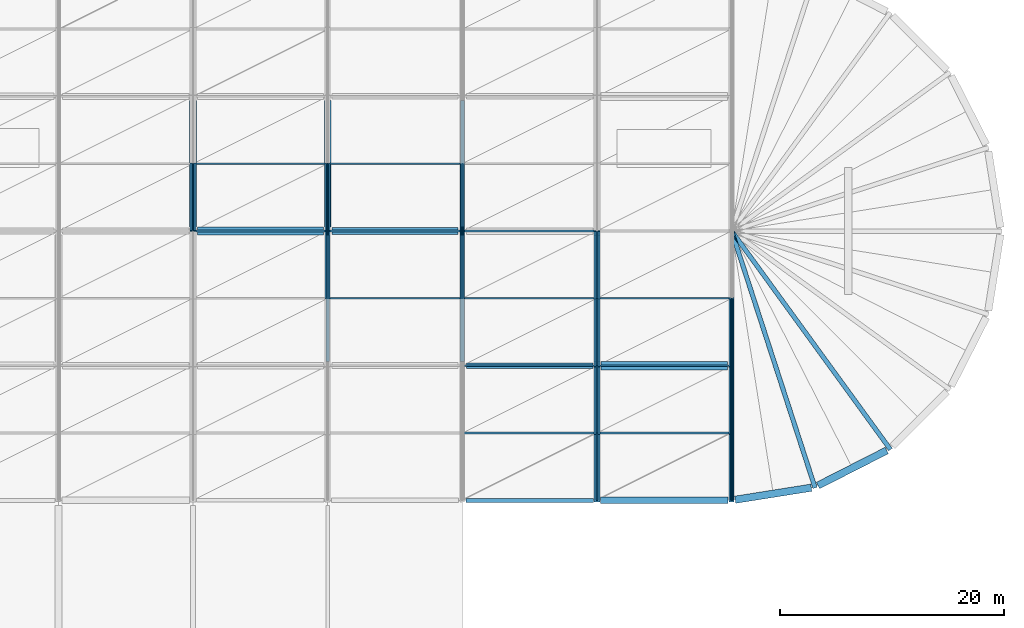
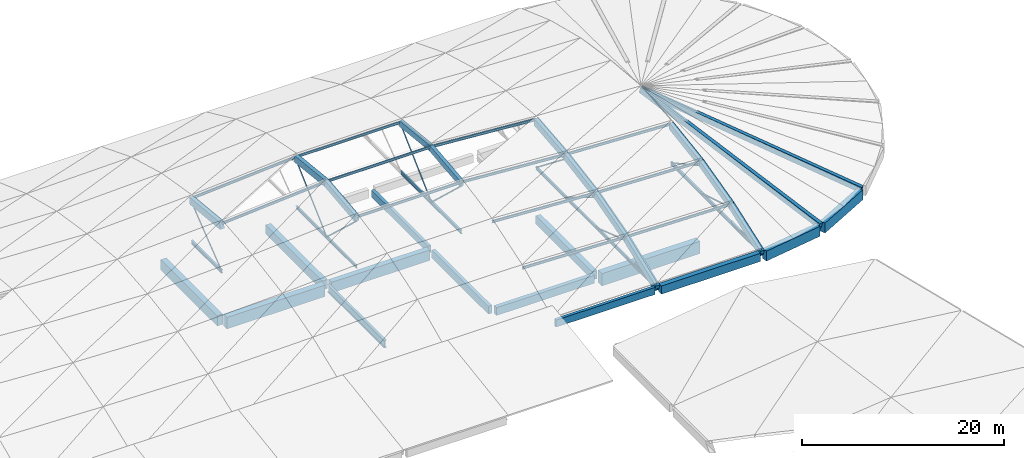
# One storey, part 14 of 23: 40 beams, 24 members.
"""IFC4 building model written with IfcOpenShell, lengths in metres."""

from ifc_helpers import new_model, si_unit, direction, frame, origin, origin_2d, place, context, subcontext, project, spatial, rectangle, hollow_circle, i_section, extrude, material, material_profile, profile_set, type_object, element, save


model = new_model("IFC4")

# Units and contexts
model_context = context("Model", 3, precision=1e-05, world=origin(), true_north=direction((0.0, 1.0)))
body_context = subcontext(model_context, "Body", "Model", "MODEL_VIEW")
ifc_project = project(units=[si_unit("LENGTHUNIT", "METRE"), si_unit("AREAUNIT", "SQUARE_METRE"), si_unit("VOLUMEUNIT", "CUBIC_METRE"), si_unit("PLANEANGLEUNIT", "RADIAN"), si_unit("MASSUNIT", "GRAM", prefix="KILO")], contexts=[model_context])

# Site, building, storey
site_placement = place(None, origin())
site = spatial("IfcSite", under=ifc_project, at=site_placement, CompositionType="ELEMENT")
building_placement = place(site_placement, origin())
building = spatial("IfcBuilding", under=site, at=building_placement, Name="Kamomehara Wholesale Market", CompositionType="ELEMENT")
storey_placement = place(building_placement, frame((0.0, 0.0, 21.0)))
storey = spatial("IfcBuildingStorey", under=building, at=storey_placement, Name="RF", CompositionType="ELEMENT", Elevation=21.0)

# Beams
ifc_material_1 = material(Name="Precast concrete Fc45 (C40/50)", Category="concrete")
ifc_material_profile_1 = material_profile(ifc_material_1, rectangle(XDim=0.60009765625, YDim=1.10009765625, at=origin_2d()), Name="PC-GRD-600x1100")
ifc_profile_set_1 = profile_set([ifc_material_profile_1], Name="Precast concrete Fc45 (C40/50)")
beam_type_1 = type_object("IfcBeamType", Name="BM-PG1100", PredefinedType="T_BEAM", material=ifc_profile_set_1)
beam_1_placement = place(storey_placement, frame((144.0, 132.375, -15.281982421875), z_axis=(0.0, 1.0, 0.0), x_axis=(-1.0, 0.0, 0.0)))
element("IfcBeam", 1, at=beam_1_placement, inside=storey, type_object=beam_type_1, Name="Beam PG-07 RF", PredefinedType="T_BEAM", context=body_context, shape_type="SweptSolid", body=[
    extrude(rectangle(XDim=0.60009765625, YDim=1.10009765625, at=origin_2d()), origin(), (0.0, 0.0, 1.0), 11.25),
])
ifc_material_2 = material(Name="Precast concrete Fc45 (C40/50)", Category="concrete")
ifc_material_profile_2 = material_profile(ifc_material_2, rectangle(XDim=0.64990234375, YDim=1.25, at=origin_2d()), Name="PC-GRD-650x1250")
ifc_profile_set_2 = profile_set([ifc_material_profile_2], Name="Precast concrete Fc45 (C40/50)")
beam_type_2 = type_object("IfcBeamType", Name="BM-PG1250", PredefinedType="T_BEAM", material=ifc_profile_set_2)
beam_2_placement = place(storey_placement, frame((132.0, 132.375, -15.35693359375), z_axis=(0.0, 1.0, 0.0), x_axis=(-1.0, 0.0, 0.0)))
element("IfcBeam", 2, at=beam_2_placement, inside=storey, type_object=beam_type_2, Name="Beam PG-04 RF", PredefinedType="T_BEAM", context=body_context, shape_type="SweptSolid", body=[
    extrude(rectangle(XDim=0.64990234375, YDim=1.25, at=origin_2d()), origin(), (0.0, 0.0, 1.0), 11.25),
])
ifc_material_3 = material(Name="Precast concrete Fc45 (C40/50)", Category="concrete")
ifc_material_profile_3 = material_profile(ifc_material_3, rectangle(XDim=0.6201171875, YDim=1.280029296875, at=origin_2d()), Name="PC-GRD-620x1280")
ifc_profile_set_3 = profile_set([ifc_material_profile_3], Name="Precast concrete Fc45 (C40/50)")
beam_type_3 = type_object("IfcBeamType", Name="BM-PG1280", PredefinedType="T_BEAM", material=ifc_profile_set_3)
beam_3_placement = place(storey_placement, frame((144.375, 132.0, -15.35205078125), z_axis=(1.0, 0.0, 0.0), x_axis=(0.0, 1.0, 0.0)))
element("IfcBeam", 3, at=beam_3_placement, inside=storey, type_object=beam_type_3, Name="Beam PG-13 RF", PredefinedType="T_BEAM", context=body_context, shape_type="SweptSolid", body=[
    extrude(rectangle(XDim=0.6201171875, YDim=1.280029296875, at=origin_2d()), origin(), (0.0, 0.0, 1.0), 11.25),
])
ifc_material_4 = material(Name="Precast concrete Fc45 (C40/50)", Category="concrete")
ifc_material_profile_4 = material_profile(ifc_material_4, rectangle(XDim=0.699951171875, YDim=1.39990234375, at=origin_2d()), Name="PC-GRD-700x1400")
ifc_profile_set_4 = profile_set([ifc_material_profile_4], Name="Precast concrete Fc45 (C40/50)")
beam_type_4 = type_object("IfcBeamType", Name="BM-PG1400", PredefinedType="T_BEAM", material=ifc_profile_set_4)
beam_4_placement = place(storey_placement, frame((132.375, 132.0, -15.431884765625), z_axis=(1.0, 0.0, 0.0), x_axis=(0.0, 1.0, 0.0)))
element("IfcBeam", 4, at=beam_4_placement, inside=storey, type_object=beam_type_4, Name="Beam PG-02 RF", PredefinedType="T_BEAM", context=body_context, shape_type="SweptSolid", body=[
    extrude(rectangle(XDim=0.699951171875, YDim=1.39990234375, at=origin_2d()), origin(), (0.0, 0.0, 1.0), 11.25),
])
ifc_material_5 = material(Name="Precast concrete Fc45 (C40/50)", Category="concrete")
ifc_material_profile_5 = material_profile(ifc_material_5, rectangle(XDim=0.75, YDim=1.5, at=origin_2d()), Name="PC-GRD-750x1500")
ifc_profile_set_5 = profile_set([ifc_material_profile_5], Name="Precast concrete Fc45 (C40/50)")
beam_type_5 = type_object("IfcBeamType", Name="BM-PG1500", PredefinedType="T_BEAM", material=ifc_profile_set_5)
beam_5_placement = place(storey_placement, frame((168.375, 120.0, -15.491943359375), z_axis=(1.0, 0.0, 0.0), x_axis=(0.0, 1.0, 0.0)))
element("IfcBeam", 5, at=beam_5_placement, inside=storey, type_object=beam_type_5, Name="Beam PG-01 RF", PredefinedType="T_BEAM", context=body_context, shape_type="SweptSolid", body=[
    extrude(rectangle(XDim=0.75, YDim=1.5, at=origin_2d()), origin(), (0.0, 0.0, 1.0), 11.25),
])
ifc_material_6 = material(Name="Precast concrete Fc45 (C40/50)", Category="concrete")
ifc_material_profile_6 = material_profile(ifc_material_6, rectangle(XDim=0.47998046875, YDim=0.949951171875, at=origin_2d()), Name="PC-GRD-480x950")
ifc_profile_set_6 = profile_set([ifc_material_profile_6], Name="Precast concrete Fc45 (C40/50)")
beam_type_6 = type_object("IfcBeamType", Name="BM-PG950", PredefinedType="T_BEAM", material=ifc_profile_set_6)
beam_6_placement = place(storey_placement, frame((156.375, 120.0, -15.22705078125), z_axis=(1.0, 0.0, 0.0), x_axis=(0.0, 1.0, 0.0)))
element("IfcBeam", 6, at=beam_6_placement, inside=storey, type_object=beam_type_6, Name="Beam PG-16 RF", PredefinedType="T_BEAM", context=body_context, shape_type="SweptSolid", body=[
    extrude(rectangle(XDim=0.47998046875, YDim=0.949951171875, at=origin_2d()), origin(), (0.0, 0.0, 1.0), 11.25),
])
ifc_material_7 = material(Name="Concrete Fc36 (C35/45)", Category="concrete")
ifc_material_profile_7 = material_profile(ifc_material_7, rectangle(XDim=0.39990234375, YDim=0.699951171875, at=origin_2d()), Name="RC-RIB-400x700")
ifc_profile_set_7 = profile_set([ifc_material_profile_7], Name="Concrete Fc36 (C35/45)")
beam_type_7 = type_object("IfcBeamType", Name="BM-RIB700", PredefinedType="BEAM", material=ifc_profile_set_7)
for number, where, z_axis, x_axis, name in (
    (7, (156.0, 126.0, -3.31689453125), (0.0, 0.994292611875, 0.106687403056), (-1.0, 0.0, 0.0), "Shell arch rib V1 68"),
    (8, (156.0, 132.0, -2.673095703125), (0.0, 0.994292611875, -0.106687403056), (-1.0, 0.0, 0.0), "Shell arch rib V1 69"),
):
    element("IfcBeam", number, at=place(storey_placement, frame(where, z_axis=z_axis, x_axis=x_axis)), inside=storey, type_object=beam_type_7, Name=name, PredefinedType="BEAM", context=body_context, shape_type="SweptSolid", body=[
        extrude(rectangle(XDim=0.39990234375, YDim=0.699951171875, at=origin_2d()), origin(), (0.0, 0.0, 1.0), 6.034423828125),
    ])
beam_7_placement = place(storey_placement, frame((187.416015625, 109.175048828125, -9.25), z_axis=(-0.301736860826, 0.928683199088, 0.215644110866), x_axis=(-0.951059707206, -0.30900717359, 0.0)))
element("IfcBeam", 9, at=beam_7_placement, inside=storey, type_object=beam_type_7, Name="Apse radial shell rib 2", PredefinedType="BEAM", context=body_context, shape_type="SweptSolid", body=[
    extrude(rectangle(XDim=0.39990234375, YDim=0.699951171875, at=origin_2d()), origin(), (0.0, 0.0, 1.0), 24.57763671875),
])
beam_8_placement = place(storey_placement, frame((194.10693359375, 112.583984375, -9.25), z_axis=(-0.573966043882, 0.789975624552, 0.215642048504), x_axis=(-0.809009613282, -0.587795411361, 0.0)))
element("IfcBeam", 10, at=beam_8_placement, inside=storey, type_object=beam_type_7, Name="Apse radial shell rib 4", PredefinedType="BEAM", context=body_context, shape_type="SweptSolid", body=[
    extrude(rectangle(XDim=0.39990234375, YDim=0.699951171875, at=origin_2d()), origin(), (0.0, 0.0, 1.0), 24.577880859375),
])
ifc_material_8 = material(Name="Concrete Fc36 (C35/45)", Category="concrete")
ifc_material_profile_8 = material_profile(ifc_material_8, rectangle(XDim=0.449951171875, YDim=0.800048828125, at=origin_2d()), Name="RC-RIB-450x800")
ifc_profile_set_8 = profile_set([ifc_material_profile_8], Name="Concrete Fc36 (C35/45)")
beam_type_8 = type_object("IfcBeamType", Name="BM-RIB800", PredefinedType="BEAM", material=ifc_profile_set_8)
for number, where, z_axis, x_axis, name in (
    (11, (144.0, 126.0, -3.366943359375), (0.0, 0.994288319379, 0.106727400168), (-1.0, 0.0, 0.0), "Shell arch rib V1 60"),
    (12, (144.0, 132.0, -2.722900390625), (0.0, 0.994288319379, -0.106727400168), (-1.0, 0.0, 0.0), "Shell arch rib V1 61"),
):
    element("IfcBeam", number, at=place(storey_placement, frame(where, z_axis=z_axis, x_axis=x_axis)), inside=storey, type_object=beam_type_8, Name=name, PredefinedType="BEAM", context=body_context, shape_type="SweptSolid", body=[
        extrude(rectangle(XDim=0.449951171875, YDim=0.800048828125, at=origin_2d()), origin(), (0.0, 0.0, 1.0), 6.034423828125),
    ])
beam_9_placement = place(storey_placement, frame((180.0, 108.0, -9.27001953125), z_axis=(0.0, 0.942772001715, 0.333438079383), x_axis=(-1.0, 0.0, 0.0)))
element("IfcBeam", 13, at=beam_9_placement, inside=storey, type_object=beam_type_8, Name="Shell arch rib V1 81", PredefinedType="BEAM", context=body_context, shape_type="SweptSolid", body=[
    extrude(rectangle(XDim=0.449951171875, YDim=0.800048828125, at=origin_2d()), origin(), (0.0, 0.0, 1.0), 6.3642578125),
])
beam_10_placement = place(storey_placement, frame((180.0, 114.0, -7.14794921875), z_axis=(0.0, 0.969573603091, 0.244799975878), x_axis=(-1.0, 0.0, 0.0)))
element("IfcBeam", 14, at=beam_10_placement, inside=storey, type_object=beam_type_8, Name="Shell arch rib V1 82", PredefinedType="BEAM", context=body_context, shape_type="SweptSolid", body=[
    extrude(rectangle(XDim=0.449951171875, YDim=0.800048828125, at=origin_2d()), origin(), (0.0, 0.0, 1.0), 6.188232421875),
])
beam_11_placement = place(storey_placement, frame((180.0, 120.0, -5.633056640625), z_axis=(0.0, 0.988689487974, 0.149976986132), x_axis=(-1.0, 0.0, 0.0)))
element("IfcBeam", 15, at=beam_11_placement, inside=storey, type_object=beam_type_8, Name="Shell arch rib V1 83", PredefinedType="BEAM", context=body_context, shape_type="SweptSolid", body=[
    extrude(rectangle(XDim=0.449951171875, YDim=0.800048828125, at=origin_2d()), origin(), (0.0, 0.0, 1.0), 6.068603515625),
])
ifc_material_9 = material(Name="Concrete Fc36 (C35/45)", Category="concrete")
ifc_material_profile_9 = material_profile(ifc_material_9, rectangle(XDim=0.5, YDim=0.85009765625, at=origin_2d()), Name="RC-RIB-500x850")
ifc_profile_set_9 = profile_set([ifc_material_profile_9], Name="Concrete Fc36 (C35/45)")
beam_type_9 = type_object("IfcBeamType", Name="BM-RIB850", PredefinedType="BEAM", material=ifc_profile_set_9)
beam_12_placement = place(storey_placement, frame((132.0, 132.0, -3.64208984375), z_axis=(0.0, 0.995234075156, -0.097514797077), x_axis=(-1.0, 0.0, 0.0)))
element("IfcBeam", 16, at=beam_12_placement, inside=storey, type_object=beam_type_9, Name="Shell arch rib V1 53", PredefinedType="BEAM", context=body_context, shape_type="SweptSolid", body=[
    extrude(rectangle(XDim=0.5, YDim=0.85009765625, at=origin_2d()), origin(), (0.0, 0.0, 1.0), 6.02880859375),
])
beam_13_placement = place(storey_placement, frame((168.0, 108.0, -9.294921875), z_axis=(0.0, 0.930388439459, 0.366575165173), x_axis=(-1.0, 0.0, 0.0)))
element("IfcBeam", 17, at=beam_13_placement, inside=storey, type_object=beam_type_9, Name="Shell arch rib V1 73", PredefinedType="BEAM", context=body_context, shape_type="SweptSolid", body=[
    extrude(rectangle(XDim=0.5, YDim=0.85009765625, at=origin_2d()), origin(), (0.0, 0.0, 1.0), 6.448974609375),
])
beam_14_placement = place(storey_placement, frame((168.0, 114.0, -6.930908203125), z_axis=(0.0, 0.962630519631, 0.270818172719), x_axis=(-1.0, 0.0, 0.0)))
element("IfcBeam", 18, at=beam_14_placement, inside=storey, type_object=beam_type_9, Name="Shell arch rib V1 74", PredefinedType="BEAM", context=body_context, shape_type="SweptSolid", body=[
    extrude(rectangle(XDim=0.5, YDim=0.85009765625, at=origin_2d()), origin(), (0.0, 0.0, 1.0), 6.23291015625),
])
beam_15_placement = place(storey_placement, frame((168.0, 120.0, -5.242919921875), z_axis=(0.0, 0.986046918552, 0.166467637739), x_axis=(-1.0, 0.0, 0.0)))
element("IfcBeam", 19, at=beam_15_placement, inside=storey, type_object=beam_type_9, Name="Shell arch rib V1 75", PredefinedType="BEAM", context=body_context, shape_type="SweptSolid", body=[
    extrude(rectangle(XDim=0.5, YDim=0.85009765625, at=origin_2d()), origin(), (0.0, 0.0, 1.0), 6.0849609375),
])
beam_16_placement = place(storey_placement, frame((168.0, 126.0, -4.22998046875), z_axis=(0.0, 0.995234075156, 0.097514797077), x_axis=(-1.0, 0.0, 0.0)))
element("IfcBeam", 20, at=beam_16_placement, inside=storey, type_object=beam_type_9, Name="Shell arch rib V1 76", PredefinedType="BEAM", context=body_context, shape_type="SweptSolid", body=[
    extrude(rectangle(XDim=0.5, YDim=0.85009765625, at=origin_2d()), origin(), (0.0, 0.0, 1.0), 6.02880859375),
])
ifc_material_10 = material(Name="Concrete Fc36 (C35/45)", Category="concrete")
ifc_material_profile_10 = material_profile(ifc_material_10, rectangle(XDim=0.550048828125, YDim=1.0, at=origin_2d()), Name="RC-SEB-550x1000")
ifc_profile_set_10 = profile_set([ifc_material_profile_10], Name="Concrete Fc36 (C35/45)")
beam_type_10 = type_object("IfcBeamType", Name="BM-SEB1000-EXT", PredefinedType="SPANDREL", material=ifc_profile_set_10)
beam_17_placement = place(storey_placement, frame((168.0, 120.375, -15.251953125), z_axis=(0.0, 1.0, 0.0), x_axis=(-1.0, 0.0, 0.0)))
element("IfcBeam", 21, at=beam_17_placement, inside=storey, type_object=beam_type_10, Name="Beam SEB-03E RF", PredefinedType="SPANDREL", context=body_context, shape_type="SweptSolid", body=[
    extrude(rectangle(XDim=0.550048828125, YDim=1.0, at=origin_2d()), origin(), (0.0, 0.0, 1.0), 11.25),
])
beam_18_placement = place(storey_placement, frame((168.324951171875, 108.0, -9.5), z_axis=(1.0, 0.0, 0.0), x_axis=(0.0, 1.0, 0.0)))
element("IfcBeam", 22, at=beam_18_placement, inside=storey, type_object=beam_type_10, Name="Beam SEB-03E RF", PredefinedType="SPANDREL", context=body_context, shape_type="SweptSolid", body=[
    extrude(rectangle(XDim=0.550048828125, YDim=1.0, at=origin_2d()), origin(), (0.0, 0.0, 1.0), 11.35009765625),
])
ifc_material_11 = material(Name="Concrete Fc36 (C35/45)", Category="concrete")
ifc_material_profile_11 = material_profile(ifc_material_11, rectangle(XDim=0.64990234375, YDim=1.199951171875, at=origin_2d()), Name="RC-SEB-650x1200")
ifc_profile_set_11 = profile_set([ifc_material_profile_11], Name="Concrete Fc36 (C35/45)")
beam_type_11 = type_object("IfcBeamType", Name="BM-SEB1200-EXT", PredefinedType="SPANDREL", material=ifc_profile_set_11)
beam_19_placement = place(storey_placement, frame((180.31591796875, 108.050048828125, -9.60009765625), z_axis=(0.987678381109, 0.156497333814, 0.0), x_axis=(-0.156497333814, 0.987678381109, 0.0)))
element("IfcBeam", 23, at=beam_19_placement, inside=storey, type_object=beam_type_11, Name="Beam SEB-01E RF", PredefinedType="SPANDREL", context=body_context, shape_type="SweptSolid", body=[
    extrude(rectangle(XDim=0.64990234375, YDim=1.199951171875, at=origin_2d()), origin(), (0.0, 0.0, 1.0), 6.868896484375),
])
beam_20_placement = place(storey_placement, frame((187.700927734375, 109.320068359375, -9.60009765625), z_axis=(0.891003966365, 0.453995519716, 0.0), x_axis=(-0.453995519716, 0.891003966365, 0.0)))
element("IfcBeam", 24, at=beam_20_placement, inside=storey, type_object=beam_type_11, Name="Beam SEB-01E RF", PredefinedType="SPANDREL", context=body_context, shape_type="SweptSolid", body=[
    extrude(rectangle(XDim=0.64990234375, YDim=1.199951171875, at=origin_2d()), origin(), (0.0, 0.0, 1.0), 6.869873046875),
])
ifc_material_12 = material(Name="Precast concrete Fc45 (C40/50)", Category="concrete")
ifc_material_profile_12 = material_profile(ifc_material_12, rectangle(XDim=0.35009765625, YDim=0.85009765625, at=origin_2d()), Name="PC-SPN-350x850")
ifc_profile_set_12 = profile_set([ifc_material_profile_12], Name="Precast concrete Fc45 (C40/50)")
beam_type_12 = type_object("IfcBeamType", Name="BM-SPN850-EXT", PredefinedType="SPANDREL", material=ifc_profile_set_12)
beam_21_placement = place(storey_placement, frame((156.0, 132.375, -15.177001953125), z_axis=(0.0, 1.0, 0.0), x_axis=(-1.0, 0.0, 0.0)))
element("IfcBeam", 25, at=beam_21_placement, inside=storey, type_object=beam_type_12, Name="Beam SPN-02E RF", PredefinedType="SPANDREL", context=body_context, shape_type="SweptSolid", body=[
    extrude(rectangle(XDim=0.35009765625, YDim=0.85009765625, at=origin_2d()), origin(), (0.0, 0.0, 1.0), 11.25),
])
beam_22_placement = place(storey_placement, frame((156.324951171875, 108.0, -9.425048828125), z_axis=(1.0, 0.0, 0.0), x_axis=(0.0, 1.0, 0.0)))
element("IfcBeam", 26, at=beam_22_placement, inside=storey, type_object=beam_type_12, Name="Beam SPN-02E RF", PredefinedType="SPANDREL", context=body_context, shape_type="SweptSolid", body=[
    extrude(rectangle(XDim=0.35009765625, YDim=0.85009765625, at=origin_2d()), origin(), (0.0, 0.0, 1.0), 11.35009765625),
])
ifc_material_13 = material(Name="Precast concrete Fc45 (C40/50)", Category="concrete")
ifc_material_profile_13 = material_profile(ifc_material_13, rectangle(XDim=0.39990234375, YDim=0.949951171875, at=origin_2d()), Name="PC-SPN-400x950")
ifc_profile_set_13 = profile_set([ifc_material_profile_13], Name="Precast concrete Fc45 (C40/50)")
beam_type_13 = type_object("IfcBeamType", Name="BM-SPN950-EXT", PredefinedType="SPANDREL", material=ifc_profile_set_13)
beam_23_placement = place(storey_placement, frame((156.0, 120.375, -15.22705078125), z_axis=(0.0, 1.0, 0.0), x_axis=(-1.0, 0.0, 0.0)))
element("IfcBeam", 27, at=beam_23_placement, inside=storey, type_object=beam_type_13, Name="Beam SPN-01E RF", PredefinedType="SPANDREL", context=body_context, shape_type="SweptSolid", body=[
    extrude(rectangle(XDim=0.39990234375, YDim=0.949951171875, at=origin_2d()), origin(), (0.0, 0.0, 1.0), 11.25),
])
ifc_material_14 = material(Name="Steel SN400B", Category="steel")
ifc_material_profile_14 = material_profile(ifc_material_14, i_section(OverallWidth=0.14990234375, OverallDepth=0.300048828125, WebThickness=0.006591796875, FlangeThickness=0.009033203125, FilletRadius=0.012939453125, at=origin_2d()), Name="H-300x150x6.5x9")
ifc_profile_set_14 = profile_set([ifc_material_profile_14], Name="Steel SN400B")
beam_type_14 = type_object("IfcBeamType", Name="BM-ST-H300", PredefinedType="JOIST", material=ifc_profile_set_14)
beam_24_placement = place(storey_placement, frame((132.0, 132.0, -3.406982421875), z_axis=(0.997236109241, 0.0, 0.074297660971), x_axis=(0.0, 1.0, 0.0)))
element("IfcBeam", 28, at=beam_24_placement, inside=storey, type_object=beam_type_14, Name="Shell longitudinal purlin V1 46", PredefinedType="JOIST", context=body_context, shape_type="SweptSolid", body=[
    extrude(i_section(OverallWidth=0.14990234375, OverallDepth=0.300048828125, WebThickness=0.006591796875, FlangeThickness=0.009033203125, FilletRadius=0.012939453125, at=origin_2d()), origin(), (0.0, 0.0, 1.0), 12.033203125),
])
beam_25_placement = place(storey_placement, frame((132.0, 138.0, -3.9951171875), z_axis=(0.997569756374, 0.0, 0.069674824496), x_axis=(0.0, 1.0, 0.0)))
element("IfcBeam", 29, at=beam_25_placement, inside=storey, type_object=beam_type_14, Name="Shell longitudinal purlin V1 47", PredefinedType="JOIST", context=body_context, shape_type="SweptSolid", body=[
    extrude(i_section(OverallWidth=0.14990234375, OverallDepth=0.300048828125, WebThickness=0.006591796875, FlangeThickness=0.009033203125, FilletRadius=0.012939453125, at=origin_2d()), origin(), (0.0, 0.0, 1.0), 12.029296875),
])
for number, where, z_axis, x_axis, name in (
    (30, (144.0, 126.0, -3.156982421875), (1.0, 0.0, 0.0), (0.0, 1.0, 0.0), "Shell longitudinal purlin V1 52"),
    (31, (144.0, 132.0, -2.512939453125), (1.0, 0.0, 0.0), (0.0, 1.0, 0.0), "Shell longitudinal purlin V1 53"),
    (32, (144.0, 138.0, -3.156982421875), (1.0, 0.0, 0.0), (0.0, 1.0, 0.0), "Shell longitudinal purlin V1 54"),
):
    element("IfcBeam", number, at=place(storey_placement, frame(where, z_axis=z_axis, x_axis=x_axis)), inside=storey, type_object=beam_type_14, Name=name, PredefinedType="JOIST", context=body_context, shape_type="SweptSolid", body=[
        extrude(i_section(OverallWidth=0.14990234375, OverallDepth=0.300048828125, WebThickness=0.006591796875, FlangeThickness=0.009033203125, FilletRadius=0.012939453125, at=origin_2d()), origin(), (0.0, 0.0, 1.0), 12.0),
    ])
beam_26_placement = place(storey_placement, frame((156.0, 114.0, -6.304931640625), z_axis=(0.999469278357, 0.0, -0.032575475747), x_axis=(0.0, 1.0, 0.0)))
element("IfcBeam", 33, at=beam_26_placement, inside=storey, type_object=beam_type_14, Name="Shell longitudinal purlin V1 57", PredefinedType="JOIST", context=body_context, shape_type="SweptSolid", body=[
    extrude(i_section(OverallWidth=0.14990234375, OverallDepth=0.300048828125, WebThickness=0.006591796875, FlangeThickness=0.009033203125, FilletRadius=0.012939453125, at=origin_2d()), origin(), (0.0, 0.0, 1.0), 12.00634765625),
])
beam_27_placement = place(storey_placement, frame((156.0, 120.0, -4.3369140625), z_axis=(0.998439658361, 0.0, -0.055841280535), x_axis=(0.0, 1.0, 0.0)))
element("IfcBeam", 34, at=beam_27_placement, inside=storey, type_object=beam_type_14, Name="Shell longitudinal purlin V1 58", PredefinedType="JOIST", context=body_context, shape_type="SweptSolid", body=[
    extrude(i_section(OverallWidth=0.14990234375, OverallDepth=0.300048828125, WebThickness=0.006591796875, FlangeThickness=0.009033203125, FilletRadius=0.012939453125, at=origin_2d()), origin(), (0.0, 0.0, 1.0), 12.018798828125),
])
beam_28_placement = place(storey_placement, frame((156.0, 126.0, -3.156982421875), z_axis=(0.997569756374, 0.0, -0.069674824496), x_axis=(0.0, 1.0, 0.0)))
element("IfcBeam", 35, at=beam_28_placement, inside=storey, type_object=beam_type_14, Name="Shell longitudinal purlin V1 59", PredefinedType="JOIST", context=body_context, shape_type="SweptSolid", body=[
    extrude(i_section(OverallWidth=0.14990234375, OverallDepth=0.300048828125, WebThickness=0.006591796875, FlangeThickness=0.009033203125, FilletRadius=0.012939453125, at=origin_2d()), origin(), (0.0, 0.0, 1.0), 12.029296875),
])
beam_29_placement = place(storey_placement, frame((156.0, 132.0, -2.512939453125), z_axis=(0.997236109241, 0.0, -0.074297660971), x_axis=(0.0, 1.0, 0.0)))
element("IfcBeam", 36, at=beam_29_placement, inside=storey, type_object=beam_type_14, Name="Shell longitudinal purlin V1 60", PredefinedType="JOIST", context=body_context, shape_type="SweptSolid", body=[
    extrude(i_section(OverallWidth=0.14990234375, OverallDepth=0.300048828125, WebThickness=0.006591796875, FlangeThickness=0.009033203125, FilletRadius=0.012939453125, at=origin_2d()), origin(), (0.0, 0.0, 1.0), 12.033203125),
])
beam_30_placement = place(storey_placement, frame((168.0, 114.0, -6.696044921875), z_axis=(0.9997968099, 0.0, -0.020157849907), x_axis=(0.0, 1.0, 0.0)))
element("IfcBeam", 37, at=beam_30_placement, inside=storey, type_object=beam_type_14, Name="Shell longitudinal purlin V1 64", PredefinedType="JOIST", context=body_context, shape_type="SweptSolid", body=[
    extrude(i_section(OverallWidth=0.14990234375, OverallDepth=0.300048828125, WebThickness=0.006591796875, FlangeThickness=0.009033203125, FilletRadius=0.012939453125, at=origin_2d()), origin(), (0.0, 0.0, 1.0), 12.00244140625),
])
beam_31_placement = place(storey_placement, frame((168.0, 120.0, -5.008056640625), z_axis=(0.999402420026, 0.0, -0.034565920289), x_axis=(0.0, 1.0, 0.0)))
element("IfcBeam", 38, at=beam_31_placement, inside=storey, type_object=beam_type_14, Name="Shell longitudinal purlin V1 65", PredefinedType="JOIST", context=body_context, shape_type="SweptSolid", body=[
    extrude(i_section(OverallWidth=0.14990234375, OverallDepth=0.300048828125, WebThickness=0.006591796875, FlangeThickness=0.009033203125, FilletRadius=0.012939453125, at=origin_2d()), origin(), (0.0, 0.0, 1.0), 12.007080078125),
])
beam_32_placement = place(storey_placement, frame((168.0, 126.0, -3.9951171875), z_axis=(0.999070256927, 0.0, -0.04311173533), x_axis=(0.0, 1.0, 0.0)))
element("IfcBeam", 39, at=beam_32_placement, inside=storey, type_object=beam_type_14, Name="Shell longitudinal purlin V1 66", PredefinedType="JOIST", context=body_context, shape_type="SweptSolid", body=[
    extrude(i_section(OverallWidth=0.14990234375, OverallDepth=0.300048828125, WebThickness=0.006591796875, FlangeThickness=0.009033203125, FilletRadius=0.012939453125, at=origin_2d()), origin(), (0.0, 0.0, 1.0), 12.01123046875),
])
ifc_material_15 = material(Name="Steel SN490B", Category="steel")
ifc_material_profile_15 = material_profile(ifc_material_15, i_section(OverallWidth=0.300048828125, OverallDepth=0.89990234375, WebThickness=0.01611328125, FlangeThickness=0.028076171875, FilletRadius=0.02392578125, at=origin_2d()), Name="H-900x300x16x28")
ifc_profile_set_15 = profile_set([ifc_material_profile_15], Name="Steel SN490B")
beam_type_15 = type_object("IfcBeamType", Name="BM-ST-H900", PredefinedType="BEAM", material=ifc_profile_set_15)
beam_33_placement = place(storey_placement, frame((144.0, 120.375, -15.181884765625), z_axis=(0.0, 1.0, 0.0), x_axis=(-1.0, 0.0, 0.0)))
element("IfcBeam", 40, at=beam_33_placement, inside=storey, type_object=beam_type_15, Name="Beam SG-01 RF", PredefinedType="BEAM", context=body_context, shape_type="SweptSolid", body=[
    extrude(i_section(OverallWidth=0.300048828125, OverallDepth=0.89990234375, WebThickness=0.01611328125, FlangeThickness=0.028076171875, FilletRadius=0.02392578125, at=origin_2d()), origin(), (0.0, 0.0, 1.0), 11.25),
])

# Members
ifc_material_16 = material(Name="Steel SN400B", Category="steel")
ifc_material_profile_16 = material_profile(ifc_material_16, hollow_circle(Radius=0.06982421875, WallThickness=0.006591796875, at=origin_2d()), Name="CHS-139.8x6.6")
ifc_profile_set_16 = profile_set([ifc_material_profile_16], Name="Steel SN400B")
member_type_1 = type_object("IfcMemberType", Name="MEM-BR-CHS139", PredefinedType="BRACE", material=ifc_profile_set_16)
member_1_placement = place(storey_placement, frame((132.0, 132.0, -9.25), z_axis=(0.0, 0.785956429227, 0.618281886648), x_axis=(-1.0, 0.0, 0.0)))
element("IfcMember", 41, at=member_1_placement, inside=storey, type_object=member_type_1, Name="Arch truss diagonal B V1 53", PredefinedType="BRACE", context=body_context, shape_type="SweptSolid", body=[
    extrude(hollow_circle(Radius=0.06982421875, WallThickness=0.006591796875, at=origin_2d()), origin(), (0.0, 0.0, 1.0), 7.634033203125),
])
member_2_placement = place(storey_placement, frame((144.0, 132.0, -9.25), z_axis=(0.0, 0.732088615073, 0.681209409566), x_axis=(-1.0, 0.0, 0.0)))
element("IfcMember", 42, at=member_2_placement, inside=storey, type_object=member_type_1, Name="Arch truss diagonal B V1 61", PredefinedType="BRACE", context=body_context, shape_type="SweptSolid", body=[
    extrude(hollow_circle(Radius=0.06982421875, WallThickness=0.006591796875, at=origin_2d()), origin(), (0.0, 0.0, 1.0), 8.19580078125),
])
member_3_placement = place(storey_placement, frame((156.0, 132.0, -9.25), z_axis=(0.0, 0.729048562184, 0.684461974092), x_axis=(-1.0, 0.0, 0.0)))
element("IfcMember", 43, at=member_3_placement, inside=storey, type_object=member_type_1, Name="Arch truss diagonal B V1 69", PredefinedType="BRACE", context=body_context, shape_type="SweptSolid", body=[
    extrude(hollow_circle(Radius=0.06982421875, WallThickness=0.006591796875, at=origin_2d()), origin(), (0.0, 0.0, 1.0), 8.22998046875),
])
ifc_material_17 = material(Name="Steel SN490B", Category="steel")
ifc_material_profile_17 = material_profile(ifc_material_17, hollow_circle(Radius=0.08251953125, WallThickness=0.007080078125, at=origin_2d()), Name="CHS-165.2x7.1")
ifc_profile_set_17 = profile_set([ifc_material_profile_17], Name="Steel SN490B")
member_type_2 = type_object("IfcMemberType", Name="MEM-BR-CHS165", PredefinedType="BRACE", material=ifc_profile_set_17)
member_4_placement = place(storey_placement, frame((144.0, 132.0, -9.25), z_axis=(0.0, -0.732088615073, 0.681209409566), x_axis=(1.0, 0.0, 0.0)))
element("IfcMember", 44, at=member_4_placement, inside=storey, type_object=member_type_2, Name="Arch truss diagonal A V1 60", PredefinedType="BRACE", context=body_context, shape_type="SweptSolid", body=[
    extrude(hollow_circle(Radius=0.08251953125, WallThickness=0.007080078125, at=origin_2d()), origin(), (0.0, 0.0, 1.0), 8.19580078125),
])
member_5_placement = place(storey_placement, frame((156.0, 132.0, -9.25), z_axis=(0.0, -0.729048562184, 0.684461974092), x_axis=(1.0, 0.0, 0.0)))
element("IfcMember", 45, at=member_5_placement, inside=storey, type_object=member_type_2, Name="Arch truss diagonal A V1 68", PredefinedType="BRACE", context=body_context, shape_type="SweptSolid", body=[
    extrude(hollow_circle(Radius=0.08251953125, WallThickness=0.007080078125, at=origin_2d()), origin(), (0.0, 0.0, 1.0), 8.22998046875),
])
member_6_placement = place(storey_placement, frame((168.0, 114.0, -9.25), z_axis=(0.0, -0.997786235602, 0.066502842363), x_axis=(1.0, 0.0, 0.0)))
element("IfcMember", 46, at=member_6_placement, inside=storey, type_object=member_type_2, Name="Arch truss diagonal A V1 73", PredefinedType="BRACE", context=body_context, shape_type="SweptSolid", body=[
    extrude(hollow_circle(Radius=0.08251953125, WallThickness=0.007080078125, at=origin_2d()), origin(), (0.0, 0.0, 1.0), 6.013427734375),
])
member_7_placement = place(storey_placement, frame((168.0, 120.0, -9.25), z_axis=(0.0, -0.947777010748, 0.318933751582), x_axis=(1.0, 0.0, 0.0)))
element("IfcMember", 47, at=member_7_placement, inside=storey, type_object=member_type_2, Name="Arch truss diagonal A V1 74", PredefinedType="BRACE", context=body_context, shape_type="SweptSolid", body=[
    extrude(hollow_circle(Radius=0.08251953125, WallThickness=0.007080078125, at=origin_2d()), origin(), (0.0, 0.0, 1.0), 6.33056640625),
])
member_8_placement = place(storey_placement, frame((168.0, 126.0, -9.25), z_axis=(0.0, -0.850725158831, 0.525610791491), x_axis=(1.0, 0.0, 0.0)))
element("IfcMember", 48, at=member_8_placement, inside=storey, type_object=member_type_2, Name="Arch truss diagonal A V1 75", PredefinedType="BRACE", context=body_context, shape_type="SweptSolid", body=[
    extrude(hollow_circle(Radius=0.08251953125, WallThickness=0.007080078125, at=origin_2d()), origin(), (0.0, 0.0, 1.0), 7.052734375),
])
member_9_placement = place(storey_placement, frame((168.0, 132.0, -9.25), z_axis=(0.0, -0.785956429227, 0.618281886648), x_axis=(1.0, 0.0, 0.0)))
element("IfcMember", 49, at=member_9_placement, inside=storey, type_object=member_type_2, Name="Arch truss diagonal A V1 76", PredefinedType="BRACE", context=body_context, shape_type="SweptSolid", body=[
    extrude(hollow_circle(Radius=0.08251953125, WallThickness=0.007080078125, at=origin_2d()), origin(), (0.0, 0.0, 1.0), 7.634033203125),
])
member_10_placement = place(storey_placement, frame((180.0, 114.0, -9.25), z_axis=(0.0, -0.997786235602, 0.066502842363), x_axis=(1.0, 0.0, 0.0)))
element("IfcMember", 50, at=member_10_placement, inside=storey, type_object=member_type_2, Name="Arch truss diagonal A V1 81", PredefinedType="BRACE", context=body_context, shape_type="SweptSolid", body=[
    extrude(hollow_circle(Radius=0.08251953125, WallThickness=0.007080078125, at=origin_2d()), origin(), (0.0, 0.0, 1.0), 6.013427734375),
])
member_11_placement = place(storey_placement, frame((180.0, 120.0, -9.25), z_axis=(0.0, -0.957738288649, 0.287641044455), x_axis=(1.0, 0.0, 0.0)))
element("IfcMember", 51, at=member_11_placement, inside=storey, type_object=member_type_2, Name="Arch truss diagonal A V1 82", PredefinedType="BRACE", context=body_context, shape_type="SweptSolid", body=[
    extrude(hollow_circle(Radius=0.08251953125, WallThickness=0.007080078125, at=origin_2d()), origin(), (0.0, 0.0, 1.0), 6.2646484375),
])
member_12_placement = place(storey_placement, frame((180.0, 126.0, -9.25), z_axis=(0.0, -0.875173289837, 0.483809583159), x_axis=(1.0, 0.0, 0.0)))
element("IfcMember", 52, at=member_12_placement, inside=storey, type_object=member_type_2, Name="Arch truss diagonal A V1 83", PredefinedType="BRACE", context=body_context, shape_type="SweptSolid", body=[
    extrude(hollow_circle(Radius=0.08251953125, WallThickness=0.007080078125, at=origin_2d()), origin(), (0.0, 0.0, 1.0), 6.855712890625),
])
ifc_material_18 = material(Name="Steel SN490B", Category="steel")
ifc_material_profile_18 = material_profile(ifc_material_18, i_section(OverallWidth=0.175048828125, OverallDepth=0.35009765625, WebThickness=0.007080078125, FlangeThickness=0.010986328125, FilletRadius=0.012939453125, at=origin_2d()), Name="H-350x175x7x11")
ifc_profile_set_18 = profile_set([ifc_material_profile_18], Name="Steel SN490B")
member_type_3 = type_object("IfcMemberType", Name="MEM-CH-H350", PredefinedType="CHORD", material=ifc_profile_set_18)
for number, where, z_axis, x_axis, name in (
    (53, (144.0, 126.0, -9.25), (0.0, 1.0, 0.0), (-1.0, 0.0, 0.0), "Arch tie chord V1 60"),
    (54, (144.0, 132.0, -9.25), (0.0, 1.0, 0.0), (-1.0, 0.0, 0.0), "Arch tie chord V1 61"),
    (55, (168.0, 108.0, -9.25), (0.0, 1.0, 0.0), (-1.0, 0.0, 0.0), "Arch tie chord V1 73"),
    (56, (168.0, 114.0, -9.25), (0.0, 1.0, 0.0), (-1.0, 0.0, 0.0), "Arch tie chord V1 74"),
    (57, (168.0, 120.0, -9.25), (0.0, 1.0, 0.0), (-1.0, 0.0, 0.0), "Arch tie chord V1 75"),
    (58, (168.0, 126.0, -9.25), (0.0, 1.0, 0.0), (-1.0, 0.0, 0.0), "Arch tie chord V1 76"),
):
    element("IfcMember", number, at=place(storey_placement, frame(where, z_axis=z_axis, x_axis=x_axis)), inside=storey, type_object=member_type_3, Name=name, PredefinedType="CHORD", context=body_context, shape_type="SweptSolid", body=[
        extrude(i_section(OverallWidth=0.175048828125, OverallDepth=0.35009765625, WebThickness=0.007080078125, FlangeThickness=0.010986328125, FilletRadius=0.012939453125, at=origin_2d()), origin(), (0.0, 0.0, 1.0), 6.0),
    ])
ifc_material_19 = material(Name="Steel SN490B", Category="steel")
ifc_material_profile_19 = material_profile(ifc_material_19, i_section(OverallWidth=0.199951171875, OverallDepth=0.39990234375, WebThickness=0.008056640625, FlangeThickness=0.012939453125, FilletRadius=0.012939453125, at=origin_2d()), Name="H-400x200x8x13")
ifc_profile_set_19 = profile_set([ifc_material_profile_19], Name="Steel SN490B")
member_type_4 = type_object("IfcMemberType", Name="MEM-CH-H400", PredefinedType="CHORD", material=ifc_profile_set_19)
for number, where, z_axis, x_axis, name in (
    (59, (132.0, 132.0, -9.25), (0.0, 1.0, 0.0), (-1.0, 0.0, 0.0), "Arch tie chord V1 53"),
    (60, (156.0, 126.0, -9.25), (0.0, 1.0, 0.0), (-1.0, 0.0, 0.0), "Arch tie chord V1 68"),
    (61, (156.0, 132.0, -9.25), (0.0, 1.0, 0.0), (-1.0, 0.0, 0.0), "Arch tie chord V1 69"),
    (62, (180.0, 108.0, -9.25), (0.0, 1.0, 0.0), (-1.0, 0.0, 0.0), "Arch tie chord V1 81"),
    (63, (180.0, 114.0, -9.25), (0.0, 1.0, 0.0), (-1.0, 0.0, 0.0), "Arch tie chord V1 82"),
    (64, (180.0, 120.0, -9.25), (0.0, 1.0, 0.0), (-1.0, 0.0, 0.0), "Arch tie chord V1 83"),
):
    element("IfcMember", number, at=place(storey_placement, frame(where, z_axis=z_axis, x_axis=x_axis)), inside=storey, type_object=member_type_4, Name=name, PredefinedType="CHORD", context=body_context, shape_type="SweptSolid", body=[
        extrude(i_section(OverallWidth=0.199951171875, OverallDepth=0.39990234375, WebThickness=0.008056640625, FlangeThickness=0.012939453125, FilletRadius=0.012939453125, at=origin_2d()), origin(), (0.0, 0.0, 1.0), 6.0),
    ])

save(model, "model.ifc")
